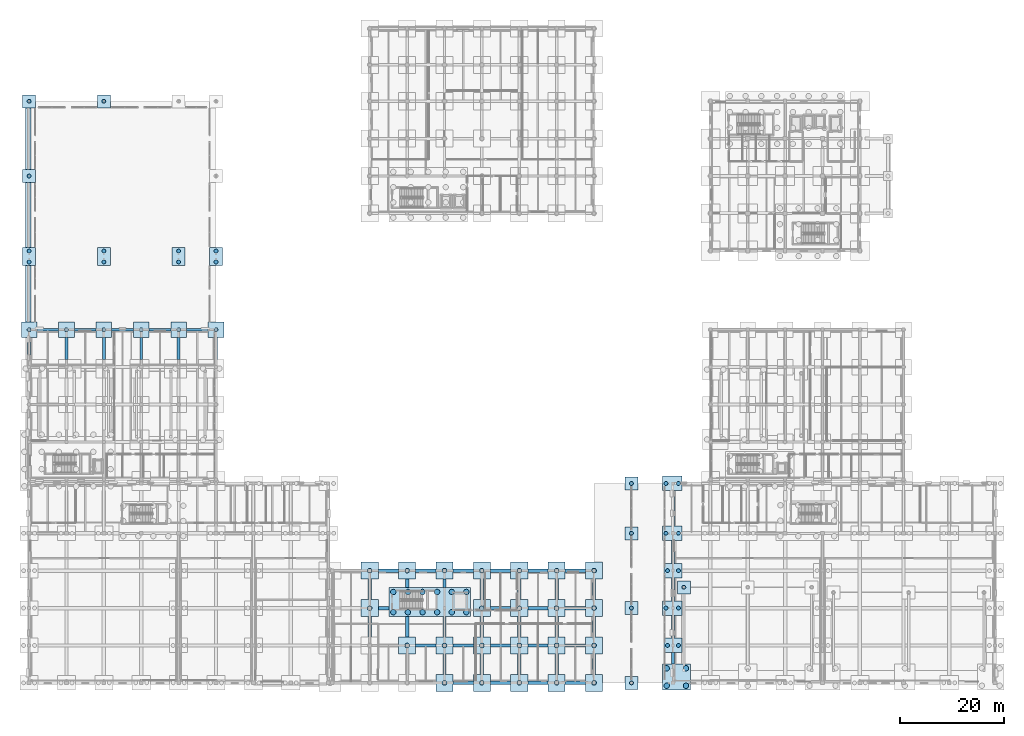
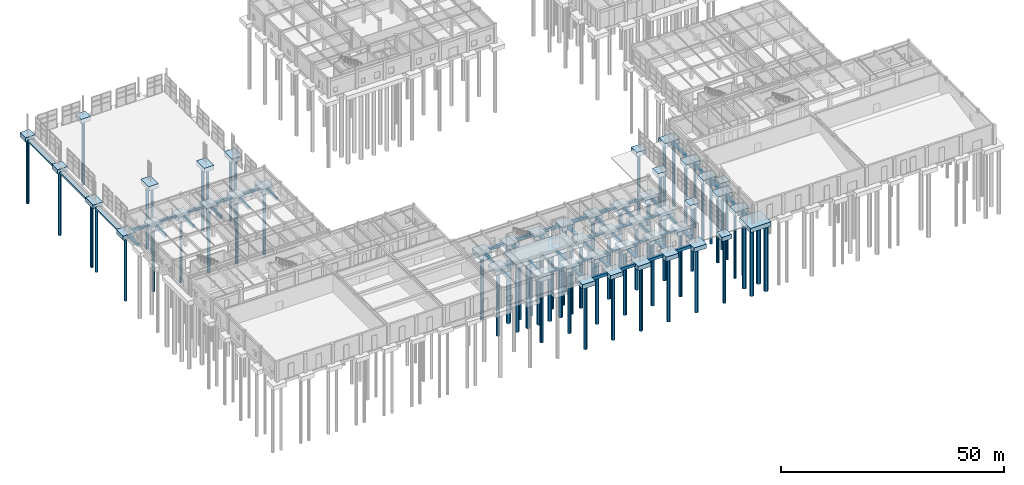
# One storey, part 3 of 91: 103 footings, 71 piles.
"""IFC4 building model written with IfcOpenShell, lengths in metres."""

from ifc_helpers import new_model, si_unit, direction, frame, origin, origin_2d, place, context, subcontext, project, spatial, rectangle, circle, extrude, material, material_profile, profile_set, type_object, element, save


model = new_model("IFC4")

# Units and contexts
model_context = context("Model", 3, precision=1e-05, world=origin(), true_north=direction((0.0, 1.0)))
body_context = subcontext(model_context, "Body", "Model", "MODEL_VIEW")
ifc_project = project(units=[si_unit("LENGTHUNIT", "METRE"), si_unit("AREAUNIT", "SQUARE_METRE"), si_unit("VOLUMEUNIT", "CUBIC_METRE"), si_unit("PLANEANGLEUNIT", "RADIAN"), si_unit("MASSUNIT", "GRAM", prefix="KILO")], contexts=[model_context])

# Site, building, storey
site_placement = place(None, origin())
site = spatial("IfcSite", under=ifc_project, at=site_placement, CompositionType="ELEMENT")
building_placement = place(site_placement, origin())
building = spatial("IfcBuilding", under=site, at=building_placement, Name="Bramveld Media Centre", CompositionType="ELEMENT")
storey_placement = place(building_placement, origin())
storey = spatial("IfcBuildingStorey", under=building, at=storey_placement, Name="L00", CompositionType="ELEMENT", Elevation=0.0)

# Footings
ifc_material_1 = material(Name="Concrete C35/45", Category="concrete")
footing_type_1 = type_object("IfcFootingType", Name="FTG-STRIP-1100x500", PredefinedType="STRIP_FOOTING", material=ifc_material_1)
footing_1_placement = place(storey_placement, frame((-0.179931640625, 89.89990234375, -1.300048828125), z_axis=(0.0, 0.0, 1.0), x_axis=(0.0, 1.0, 0.0)))
element("IfcFooting", 1, at=footing_1_placement, inside=storey, type_object=footing_type_1, Name="Retaining wall strip footing RW-PARK-02", PredefinedType="STRIP_FOOTING", context=body_context, shape_type="SweptSolid", body=[
    extrude(rectangle(XDim=44.0, YDim=1.10009765625, at=origin_2d()), origin(), (0.0, 0.0, 1.0), 0.5),
])
ifc_material_2 = material(Name="Concrete C35/45", Category="concrete")
footing_type_2 = type_object("IfcFootingType", Name="GB-550x800", PredefinedType="FOOTING_BEAM", material=ifc_material_2)
for number, where, z_axis, x_axis, name in (
    (2, (3.60009765625, 68.0, -0.7998046875), (0.0, 0.0, 1.0), (1.0, 0.0, 0.0), "V3 ground beam X-134"),
    (3, (10.800048828125, 68.0, -0.7998046875), (0.0, 0.0, 1.0), (1.0, 0.0, 0.0), "V3 ground beam X-135"),
    (4, (18.0, 68.0, -0.7998046875), (0.0, 0.0, 1.0), (1.0, 0.0, 0.0), "V3 ground beam X-136"),
    (5, (25.199951171875, 68.0, -0.7998046875), (0.0, 0.0, 1.0), (1.0, 0.0, 0.0), "V3 ground beam X-137"),
    (6, (32.39990234375, 68.0, -0.7998046875), (0.0, 0.0, 1.0), (1.0, 0.0, 0.0), "V3 ground beam X-138"),
):
    element("IfcFooting", number, at=place(storey_placement, frame(where, z_axis=z_axis, x_axis=x_axis)), inside=storey, type_object=footing_type_2, Name=name, PredefinedType="FOOTING_BEAM", context=body_context, shape_type="SweptSolid", body=[
        extrude(rectangle(XDim=4.199951171875, YDim=0.550048828125, at=origin_2d()), origin(), (0.0, 0.0, 1.0), 0.800048828125),
    ])
for number, where, z_axis, x_axis, name in (
    (7, (0.0, 64.39990234375, -0.7998046875), (0.0, 0.0, 1.0), (1.0, 0.0, 0.0), "V3 ground beam Y-141"),
    (8, (7.199951171875, 64.39990234375, -0.7998046875), (0.0, 0.0, 1.0), (1.0, 0.0, 0.0), "V3 ground beam Y-144"),
    (9, (14.39990234375, 64.39990234375, -0.7998046875), (0.0, 0.0, 1.0), (1.0, 0.0, 0.0), "V3 ground beam Y-147"),
    (10, (21.60009765625, 64.39990234375, -0.7998046875), (0.0, 0.0, 1.0), (1.0, 0.0, 0.0), "V3 ground beam Y-151"),
    (11, (28.800048828125, 64.39990234375, -0.7998046875), (0.0, 0.0, 1.0), (1.0, 0.0, 0.0), "V3 ground beam Y-155"),
    (12, (36.0, 64.39990234375, -0.7998046875), (0.0, 0.0, 1.0), (1.0, 0.0, 0.0), "V3 ground beam Y-159"),
):
    element("IfcFooting", number, at=place(storey_placement, frame(where, z_axis=z_axis, x_axis=x_axis)), inside=storey, type_object=footing_type_2, Name=name, PredefinedType="FOOTING_BEAM", context=body_context, shape_type="SweptSolid", body=[
        extrude(rectangle(XDim=0.550048828125, YDim=4.199951171875, at=origin_2d()), origin(), (0.0, 0.0, 1.0), 0.800048828125),
    ])
ifc_material_3 = material(Name="Concrete C35/45", Category="concrete")
footing_type_3 = type_object("IfcFootingType", Name="GB-650x800", PredefinedType="FOOTING_BEAM", material=ifc_material_3)
footing_2_placement = place(storey_placement, frame((124.0, 4.72509765625, -0.7998046875), z_axis=(0.0, 0.0, 1.0), x_axis=(1.0, 0.0, 0.0)))
element("IfcFooting", 13, at=footing_2_placement, inside=storey, type_object=footing_type_3, Name="V1 ground beam Y-29", PredefinedType="FOOTING_BEAM", context=body_context, shape_type="SweptSolid", body=[
    extrude(rectangle(XDim=0.64990234375, YDim=2.14990234375, at=origin_2d()), origin(), (0.0, 0.0, 1.0), 0.800048828125),
])
for number, where, z_axis, x_axis, name in (
    (14, (124.0, 10.800048828125, -0.7998046875), (0.0, 0.0, 1.0), (1.0, 0.0, 0.0), "V1 ground beam Y-30"),
    (15, (124.0, 18.0, -0.7998046875), (0.0, 0.0, 1.0), (1.0, 0.0, 0.0), "V1 ground beam Y-31"),
    (16, (124.0, 25.199951171875, -0.7998046875), (0.0, 0.0, 1.0), (1.0, 0.0, 0.0), "V1 ground beam Y-32"),
):
    element("IfcFooting", number, at=place(storey_placement, frame(where, z_axis=z_axis, x_axis=x_axis)), inside=storey, type_object=footing_type_3, Name=name, PredefinedType="FOOTING_BEAM", context=body_context, shape_type="SweptSolid", body=[
        extrude(rectangle(XDim=0.64990234375, YDim=4.39990234375, at=origin_2d()), origin(), (0.0, 0.0, 1.0), 0.800048828125),
    ])
footing_3_placement = place(storey_placement, frame((124.0, 33.60009765625, -0.7998046875), z_axis=(0.0, 0.0, 1.0), x_axis=(1.0, 0.0, 0.0)))
element("IfcFooting", 17, at=footing_3_placement, inside=storey, type_object=footing_type_3, Name="V1 ground beam Y-33", PredefinedType="FOOTING_BEAM", context=body_context, shape_type="SweptSolid", body=[
    extrude(rectangle(XDim=0.64990234375, YDim=6.800048828125, at=origin_2d()), origin(), (0.0, 0.0, 1.0), 0.800048828125),
])
for number, where, z_axis, x_axis, name in (
    (18, (83.60009765625, 0.0, -0.7998046875), (0.0, 0.0, 1.0), (1.0, 0.0, 0.0), "V5 ground beam X-209"),
    (19, (90.800048828125, 0.0, -0.7998046875), (0.0, 0.0, 1.0), (1.0, 0.0, 0.0), "V5 ground beam X-210"),
    (20, (98.0, 0.0, -0.7998046875), (0.0, 0.0, 1.0), (1.0, 0.0, 0.0), "V5 ground beam X-211"),
    (21, (105.199951171875, 0.0, -0.7998046875), (0.0, 0.0, 1.0), (1.0, 0.0, 0.0), "V5 ground beam X-212"),
    (22, (76.39990234375, 7.199951171875, -0.7998046875), (0.0, 0.0, 1.0), (1.0, 0.0, 0.0), "V5 ground beam X-215"),
    (23, (83.60009765625, 7.199951171875, -0.7998046875), (0.0, 0.0, 1.0), (1.0, 0.0, 0.0), "V5 ground beam X-216"),
    (24, (90.800048828125, 7.199951171875, -0.7998046875), (0.0, 0.0, 1.0), (1.0, 0.0, 0.0), "V5 ground beam X-217"),
    (25, (98.0, 7.199951171875, -0.7998046875), (0.0, 0.0, 1.0), (1.0, 0.0, 0.0), "V5 ground beam X-218"),
    (26, (105.199951171875, 7.199951171875, -0.7998046875), (0.0, 0.0, 1.0), (1.0, 0.0, 0.0), "V5 ground beam X-219"),
):
    element("IfcFooting", number, at=place(storey_placement, frame(where, z_axis=z_axis, x_axis=x_axis)), inside=storey, type_object=footing_type_3, Name=name, PredefinedType="FOOTING_BEAM", context=body_context, shape_type="SweptSolid", body=[
        extrude(rectangle(XDim=3.89990234375, YDim=0.64990234375, at=origin_2d()), origin(), (0.0, 0.0, 1.0), 0.800048828125),
    ])
footing_4_placement = place(storey_placement, frame((68.27490234375, 14.39990234375, -0.7998046875), z_axis=(0.0, 0.0, 1.0), x_axis=(1.0, 0.0, 0.0)))
element("IfcFooting", 27, at=footing_4_placement, inside=storey, type_object=footing_type_3, Name="V5 ground beam X-221", PredefinedType="FOOTING_BEAM", context=body_context, shape_type="SweptSolid", body=[
    extrude(rectangle(XDim=2.050048828125, YDim=0.64990234375, at=origin_2d()), origin(), (0.0, 0.0, 1.0), 0.800048828125),
])
for number, where, z_axis, x_axis, name in (
    (28, (90.800048828125, 14.39990234375, -0.7998046875), (0.0, 0.0, 1.0), (1.0, 0.0, 0.0), "V5 ground beam X-222"),
    (29, (98.0, 14.39990234375, -0.7998046875), (0.0, 0.0, 1.0), (1.0, 0.0, 0.0), "V5 ground beam X-223"),
    (30, (105.199951171875, 14.39990234375, -0.7998046875), (0.0, 0.0, 1.0), (1.0, 0.0, 0.0), "V5 ground beam X-224"),
    (31, (69.199951171875, 21.60009765625, -0.7998046875), (0.0, 0.0, 1.0), (1.0, 0.0, 0.0), "V5 ground beam X-226"),
    (32, (76.39990234375, 21.60009765625, -0.7998046875), (0.0, 0.0, 1.0), (1.0, 0.0, 0.0), "V5 ground beam X-227"),
    (33, (83.60009765625, 21.60009765625, -0.7998046875), (0.0, 0.0, 1.0), (1.0, 0.0, 0.0), "V5 ground beam X-228"),
    (34, (90.800048828125, 21.60009765625, -0.7998046875), (0.0, 0.0, 1.0), (1.0, 0.0, 0.0), "V5 ground beam X-229"),
    (35, (98.0, 21.60009765625, -0.7998046875), (0.0, 0.0, 1.0), (1.0, 0.0, 0.0), "V5 ground beam X-230"),
    (36, (105.199951171875, 21.60009765625, -0.7998046875), (0.0, 0.0, 1.0), (1.0, 0.0, 0.0), "V5 ground beam X-231"),
):
    element("IfcFooting", number, at=place(storey_placement, frame(where, z_axis=z_axis, x_axis=x_axis)), inside=storey, type_object=footing_type_3, Name=name, PredefinedType="FOOTING_BEAM", context=body_context, shape_type="SweptSolid", body=[
        extrude(rectangle(XDim=3.89990234375, YDim=0.64990234375, at=origin_2d()), origin(), (0.0, 0.0, 1.0), 0.800048828125),
    ])
for number, where, z_axis, x_axis, name in (
    (37, (65.60009765625, 10.800048828125, -0.7998046875), (0.0, 0.0, 1.0), (1.0, 0.0, 0.0), "V5 ground beam Y-236"),
    (38, (65.60009765625, 18.0, -0.7998046875), (0.0, 0.0, 1.0), (1.0, 0.0, 0.0), "V5 ground beam Y-237"),
    (39, (72.800048828125, 10.800048828125, -0.7998046875), (0.0, 0.0, 1.0), (1.0, 0.0, 0.0), "V5 ground beam Y-239"),
):
    element("IfcFooting", number, at=place(storey_placement, frame(where, z_axis=z_axis, x_axis=x_axis)), inside=storey, type_object=footing_type_3, Name=name, PredefinedType="FOOTING_BEAM", context=body_context, shape_type="SweptSolid", body=[
        extrude(rectangle(XDim=0.64990234375, YDim=3.89990234375, at=origin_2d()), origin(), (0.0, 0.0, 1.0), 0.800048828125),
    ])
footing_5_placement = place(storey_placement, frame((72.800048828125, 19.14990234375, -0.7998046875), z_axis=(0.0, 0.0, 1.0), x_axis=(1.0, 0.0, 0.0)))
element("IfcFooting", 40, at=footing_5_placement, inside=storey, type_object=footing_type_3, Name="V5 ground beam Y-240", PredefinedType="FOOTING_BEAM", context=body_context, shape_type="SweptSolid", body=[
    extrude(rectangle(XDim=0.64990234375, YDim=1.60009765625, at=origin_2d()), origin(), (0.0, 0.0, 1.0), 0.800048828125),
])
for number, where, z_axis, x_axis, name in (
    (41, (80.0, 3.60009765625, -0.7998046875), (0.0, 0.0, 1.0), (1.0, 0.0, 0.0), "V5 ground beam Y-241"),
    (42, (80.0, 10.800048828125, -0.7998046875), (0.0, 0.0, 1.0), (1.0, 0.0, 0.0), "V5 ground beam Y-242"),
):
    element("IfcFooting", number, at=place(storey_placement, frame(where, z_axis=z_axis, x_axis=x_axis)), inside=storey, type_object=footing_type_3, Name=name, PredefinedType="FOOTING_BEAM", context=body_context, shape_type="SweptSolid", body=[
        extrude(rectangle(XDim=0.64990234375, YDim=3.89990234375, at=origin_2d()), origin(), (0.0, 0.0, 1.0), 0.800048828125),
    ])
footing_6_placement = place(storey_placement, frame((80.0, 19.14990234375, -0.7998046875), z_axis=(0.0, 0.0, 1.0), x_axis=(1.0, 0.0, 0.0)))
element("IfcFooting", 43, at=footing_6_placement, inside=storey, type_object=footing_type_3, Name="V5 ground beam Y-243", PredefinedType="FOOTING_BEAM", context=body_context, shape_type="SweptSolid", body=[
    extrude(rectangle(XDim=0.64990234375, YDim=1.60009765625, at=origin_2d()), origin(), (0.0, 0.0, 1.0), 0.800048828125),
])
for number, where, z_axis, x_axis, name in (
    (44, (87.199951171875, 3.60009765625, -0.7998046875), (0.0, 0.0, 1.0), (1.0, 0.0, 0.0), "V5 ground beam Y-244"),
    (45, (87.199951171875, 10.800048828125, -0.7998046875), (0.0, 0.0, 1.0), (1.0, 0.0, 0.0), "V5 ground beam Y-245"),
    (46, (87.199951171875, 18.0, -0.7998046875), (0.0, 0.0, 1.0), (1.0, 0.0, 0.0), "V5 ground beam Y-246"),
    (47, (94.39990234375, 3.60009765625, -0.7998046875), (0.0, 0.0, 1.0), (1.0, 0.0, 0.0), "V5 ground beam Y-247"),
    (48, (94.39990234375, 10.800048828125, -0.7998046875), (0.0, 0.0, 1.0), (1.0, 0.0, 0.0), "V5 ground beam Y-248"),
    (49, (94.39990234375, 18.0, -0.7998046875), (0.0, 0.0, 1.0), (1.0, 0.0, 0.0), "V5 ground beam Y-249"),
    (50, (101.60009765625, 3.60009765625, -0.7998046875), (0.0, 0.0, 1.0), (1.0, 0.0, 0.0), "V5 ground beam Y-250"),
    (51, (101.60009765625, 10.800048828125, -0.7998046875), (0.0, 0.0, 1.0), (1.0, 0.0, 0.0), "V5 ground beam Y-251"),
    (52, (101.60009765625, 18.0, -0.7998046875), (0.0, 0.0, 1.0), (1.0, 0.0, 0.0), "V5 ground beam Y-252"),
    (53, (108.800048828125, 3.60009765625, -0.7998046875), (0.0, 0.0, 1.0), (1.0, 0.0, 0.0), "V5 ground beam Y-253"),
    (54, (108.800048828125, 10.800048828125, -0.7998046875), (0.0, 0.0, 1.0), (1.0, 0.0, 0.0), "V5 ground beam Y-254"),
    (55, (108.800048828125, 18.0, -0.7998046875), (0.0, 0.0, 1.0), (1.0, 0.0, 0.0), "V5 ground beam Y-255"),
):
    element("IfcFooting", number, at=place(storey_placement, frame(where, z_axis=z_axis, x_axis=x_axis)), inside=storey, type_object=footing_type_3, Name=name, PredefinedType="FOOTING_BEAM", context=body_context, shape_type="SweptSolid", body=[
        extrude(rectangle(XDim=0.64990234375, YDim=3.89990234375, at=origin_2d()), origin(), (0.0, 0.0, 1.0), 0.800048828125),
    ])
ifc_material_4 = material(Name="Concrete C35/45", Category="concrete")
footing_type_4 = type_object("IfcFootingType", Name="PC-1575x560x1200", PredefinedType="PILE_CAP", material=ifc_material_4)
footing_7_placement = place(storey_placement, frame((77.175048828125, 15.550048828125, -1.2001953125), z_axis=(0.0, 0.0, 1.0), x_axis=(1.0, 0.0, 0.0)))
element("IfcFooting", 56, at=footing_7_placement, inside=storey, type_object=footing_type_4, Name="Reinforced concrete pile cap 78", PredefinedType="PILE_CAP", context=body_context, shape_type="SweptSolid", body=[
    extrude(rectangle(XDim=15.75, YDim=5.60009765625, at=origin_2d()), origin(), (0.0, 0.0, 1.0), 1.199951171875),
])
ifc_material_5 = material(Name="Concrete C35/45", Category="concrete")
footing_type_5 = type_object("IfcFootingType", Name="PC-250x250x1200", PredefinedType="PILE_CAP", material=ifc_material_5)
for number, where, z_axis, x_axis, name in (
    (57, (0.0, 97.60009765625, -1.2001953125), (0.0, 0.0, 1.0), (1.0, 0.0, 0.0), "Reinforced concrete pile cap 11"),
    (58, (0.0, 112.0, -1.2001953125), (0.0, 0.0, 1.0), (1.0, 0.0, 0.0), "Reinforced concrete pile cap 12"),
    (59, (14.39990234375, 112.0, -1.2001953125), (0.0, 0.0, 1.0), (1.0, 0.0, 0.0), "Reinforced concrete pile cap 24"),
    (60, (116.0, 0.0, -1.2001953125), (0.0, 0.0, 1.0), (1.0, 0.0, 0.0), "Reinforced concrete pile cap 134"),
    (61, (116.0, 14.39990234375, -1.2001953125), (0.0, 0.0, 1.0), (1.0, 0.0, 0.0), "Reinforced concrete pile cap 135"),
    (62, (116.0, 28.800048828125, -1.2001953125), (0.0, 0.0, 1.0), (1.0, 0.0, 0.0), "Reinforced concrete pile cap 136"),
    (63, (116.0, 38.39990234375, -1.2001953125), (0.0, 0.0, 1.0), (1.0, 0.0, 0.0), "Reinforced concrete pile cap 137"),
    (64, (126.10009765625, 18.39990234375, -1.2001953125), (0.0, 0.0, 1.0), (1.0, 0.0, 0.0), "Reinforced concrete pile cap 144"),
):
    element("IfcFooting", number, at=place(storey_placement, frame(where, z_axis=z_axis, x_axis=x_axis)), inside=storey, type_object=footing_type_5, Name=name, PredefinedType="PILE_CAP", context=body_context, shape_type="SweptSolid", body=[
        extrude(rectangle(XDim=2.5, YDim=2.5, at=origin_2d()), origin(), (0.0, 0.0, 1.0), 1.199951171875),
    ])
ifc_material_6 = material(Name="Concrete C35/45", Category="concrete")
footing_type_6 = type_object("IfcFootingType", Name="PC-250x350x1200", PredefinedType="PILE_CAP", material=ifc_material_6)
for number, where, z_axis, x_axis, name in (
    (65, (0.0, 82.10009765625, -1.2001953125), (0.0, 0.0, 1.0), (1.0, 0.0, 0.0), "Reinforced concrete pile cap 10"),
    (66, (14.39990234375, 82.10009765625, -1.2001953125), (0.0, 0.0, 1.0), (1.0, 0.0, 0.0), "Reinforced concrete pile cap 23"),
    (67, (28.800048828125, 82.10009765625, -1.2001953125), (0.0, 0.0, 1.0), (1.0, 0.0, 0.0), "Reinforced concrete pile cap 41"),
    (68, (36.0, 82.10009765625, -1.2001953125), (0.0, 0.0, 1.0), (1.0, 0.0, 0.0), "Reinforced concrete pile cap 50"),
):
    element("IfcFooting", number, at=place(storey_placement, frame(where, z_axis=z_axis, x_axis=x_axis)), inside=storey, type_object=footing_type_6, Name=name, PredefinedType="PILE_CAP", context=body_context, shape_type="SweptSolid", body=[
        extrude(rectangle(XDim=2.5, YDim=3.5, at=origin_2d()), origin(), (0.0, 0.0, 1.0), 1.199951171875),
    ])
ifc_material_7 = material(Name="Concrete C35/45", Category="concrete")
footing_type_7 = type_object("IfcFootingType", Name="PC-300x300x1200", PredefinedType="PILE_CAP", material=ifc_material_7)
for number, where, z_axis, x_axis, name in (
    (69, (0.0, 68.0, -1.2001953125), (0.0, 0.0, 1.0), (1.0, 0.0, 0.0), "Reinforced concrete pile cap 9"),
    (70, (7.199951171875, 68.0, -1.2001953125), (0.0, 0.0, 1.0), (1.0, 0.0, 0.0), "Reinforced concrete pile cap 17"),
    (71, (14.39990234375, 68.0, -1.2001953125), (0.0, 0.0, 1.0), (1.0, 0.0, 0.0), "Reinforced concrete pile cap 22"),
    (72, (21.60009765625, 68.0, -1.2001953125), (0.0, 0.0, 1.0), (1.0, 0.0, 0.0), "Reinforced concrete pile cap 31"),
    (73, (28.800048828125, 68.0, -1.2001953125), (0.0, 0.0, 1.0), (1.0, 0.0, 0.0), "Reinforced concrete pile cap 40"),
    (74, (36.0, 68.0, -1.2001953125), (0.0, 0.0, 1.0), (1.0, 0.0, 0.0), "Reinforced concrete pile cap 49"),
):
    element("IfcFooting", number, at=place(storey_placement, frame(where, z_axis=z_axis, x_axis=x_axis)), inside=storey, type_object=footing_type_7, Name=name, PredefinedType="PILE_CAP", context=body_context, shape_type="SweptSolid", body=[
        extrude(rectangle(XDim=3.0, YDim=3.0, at=origin_2d()), origin(), (0.0, 0.0, 1.0), 1.199951171875),
    ])
ifc_material_8 = material(Name="Concrete C35/45", Category="concrete")
footing_type_8 = type_object("IfcFootingType", Name="PC-330x330x1200", PredefinedType="PILE_CAP", material=ifc_material_8)
for number, where, z_axis, x_axis, name in (
    (75, (65.60009765625, 14.39990234375, -1.2001953125), (0.0, 0.0, 1.0), (1.0, 0.0, 0.0), "Reinforced concrete pile cap 70"),
    (76, (65.60009765625, 21.60009765625, -1.2001953125), (0.0, 0.0, 1.0), (1.0, 0.0, 0.0), "Reinforced concrete pile cap 71"),
    (77, (72.800048828125, 7.199951171875, -1.2001953125), (0.0, 0.0, 1.0), (1.0, 0.0, 0.0), "Reinforced concrete pile cap 81"),
    (78, (72.800048828125, 21.60009765625, -1.2001953125), (0.0, 0.0, 1.0), (1.0, 0.0, 0.0), "Reinforced concrete pile cap 82"),
    (79, (80.0, 0.0, -1.2001953125), (0.0, 0.0, 1.0), (1.0, 0.0, 0.0), "Reinforced concrete pile cap 87"),
    (80, (80.0, 7.199951171875, -1.2001953125), (0.0, 0.0, 1.0), (1.0, 0.0, 0.0), "Reinforced concrete pile cap 88"),
    (81, (80.0, 21.60009765625, -1.2001953125), (0.0, 0.0, 1.0), (1.0, 0.0, 0.0), "Reinforced concrete pile cap 89"),
    (82, (87.199951171875, 0.0, -1.2001953125), (0.0, 0.0, 1.0), (1.0, 0.0, 0.0), "Reinforced concrete pile cap 94"),
    (83, (87.199951171875, 7.199951171875, -1.2001953125), (0.0, 0.0, 1.0), (1.0, 0.0, 0.0), "Reinforced concrete pile cap 95"),
    (84, (87.199951171875, 14.39990234375, -1.2001953125), (0.0, 0.0, 1.0), (1.0, 0.0, 0.0), "Reinforced concrete pile cap 96"),
    (85, (87.199951171875, 21.60009765625, -1.2001953125), (0.0, 0.0, 1.0), (1.0, 0.0, 0.0), "Reinforced concrete pile cap 97"),
    (86, (94.39990234375, 0.0, -1.2001953125), (0.0, 0.0, 1.0), (1.0, 0.0, 0.0), "Reinforced concrete pile cap 104"),
    (87, (94.39990234375, 7.199951171875, -1.2001953125), (0.0, 0.0, 1.0), (1.0, 0.0, 0.0), "Reinforced concrete pile cap 105"),
    (88, (94.39990234375, 14.39990234375, -1.2001953125), (0.0, 0.0, 1.0), (1.0, 0.0, 0.0), "Reinforced concrete pile cap 106"),
    (89, (94.39990234375, 21.60009765625, -1.2001953125), (0.0, 0.0, 1.0), (1.0, 0.0, 0.0), "Reinforced concrete pile cap 107"),
    (90, (101.60009765625, 0.0, -1.2001953125), (0.0, 0.0, 1.0), (1.0, 0.0, 0.0), "Reinforced concrete pile cap 114"),
    (91, (101.60009765625, 7.199951171875, -1.2001953125), (0.0, 0.0, 1.0), (1.0, 0.0, 0.0), "Reinforced concrete pile cap 115"),
    (92, (101.60009765625, 14.39990234375, -1.2001953125), (0.0, 0.0, 1.0), (1.0, 0.0, 0.0), "Reinforced concrete pile cap 116"),
    (93, (101.60009765625, 21.60009765625, -1.2001953125), (0.0, 0.0, 1.0), (1.0, 0.0, 0.0), "Reinforced concrete pile cap 117"),
    (94, (108.800048828125, 0.0, -1.2001953125), (0.0, 0.0, 1.0), (1.0, 0.0, 0.0), "Reinforced concrete pile cap 124"),
    (95, (108.800048828125, 7.199951171875, -1.2001953125), (0.0, 0.0, 1.0), (1.0, 0.0, 0.0), "Reinforced concrete pile cap 125"),
    (96, (108.800048828125, 14.39990234375, -1.2001953125), (0.0, 0.0, 1.0), (1.0, 0.0, 0.0), "Reinforced concrete pile cap 126"),
    (97, (108.800048828125, 21.60009765625, -1.2001953125), (0.0, 0.0, 1.0), (1.0, 0.0, 0.0), "Reinforced concrete pile cap 127"),
):
    element("IfcFooting", number, at=place(storey_placement, frame(where, z_axis=z_axis, x_axis=x_axis)), inside=storey, type_object=footing_type_8, Name=name, PredefinedType="PILE_CAP", context=body_context, shape_type="SweptSolid", body=[
        extrude(rectangle(XDim=3.300048828125, YDim=3.300048828125, at=origin_2d()), origin(), (0.0, 0.0, 1.0), 1.199951171875),
    ])
ifc_material_9 = material(Name="Concrete C35/45", Category="concrete")
footing_type_9 = type_object("IfcFootingType", Name="PC-350x280x1200", PredefinedType="PILE_CAP", material=ifc_material_9)
for number, where, z_axis, x_axis, name in (
    (98, (124.0, 7.199951171875, -1.2001953125), (0.0, 0.0, 1.0), (1.0, 0.0, 0.0), "Reinforced concrete pile cap 142"),
    (99, (124.0, 21.60009765625, -1.2001953125), (0.0, 0.0, 1.0), (1.0, 0.0, 0.0), "Reinforced concrete pile cap 143"),
):
    element("IfcFooting", number, at=place(storey_placement, frame(where, z_axis=z_axis, x_axis=x_axis)), inside=storey, type_object=footing_type_9, Name=name, PredefinedType="PILE_CAP", context=body_context, shape_type="SweptSolid", body=[
        extrude(rectangle(XDim=3.5, YDim=2.800048828125, at=origin_2d()), origin(), (0.0, 0.0, 1.0), 1.199951171875),
    ])
ifc_material_10 = material(Name="Concrete C35/45", Category="concrete")
footing_type_10 = type_object("IfcFootingType", Name="PC-380x280x1200", PredefinedType="PILE_CAP", material=ifc_material_10)
for number, where, z_axis, x_axis, name in (
    (100, (123.85009765625, 14.39990234375, -1.2001953125), (0.0, 0.0, 1.0), (1.0, 0.0, 0.0), "Reinforced concrete pile cap 139"),
    (101, (123.85009765625, 28.800048828125, -1.2001953125), (0.0, 0.0, 1.0), (1.0, 0.0, 0.0), "Reinforced concrete pile cap 140"),
    (102, (123.85009765625, 38.39990234375, -1.2001953125), (0.0, 0.0, 1.0), (1.0, 0.0, 0.0), "Reinforced concrete pile cap 141"),
):
    element("IfcFooting", number, at=place(storey_placement, frame(where, z_axis=z_axis, x_axis=x_axis)), inside=storey, type_object=footing_type_10, Name=name, PredefinedType="PILE_CAP", context=body_context, shape_type="SweptSolid", body=[
        extrude(rectangle(XDim=3.800048828125, YDim=2.800048828125, at=origin_2d()), origin(), (0.0, 0.0, 1.0), 1.199951171875),
    ])
ifc_material_11 = material(Name="Concrete C35/45", Category="concrete")
footing_type_11 = type_object("IfcFootingType", Name="PC-540x505x1200", PredefinedType="PILE_CAP", material=ifc_material_11)
footing_8_placement = place(storey_placement, frame((124.64990234375, 1.125, -1.2001953125), z_axis=(0.0, 0.0, 1.0), x_axis=(1.0, 0.0, 0.0)))
element("IfcFooting", 103, at=footing_8_placement, inside=storey, type_object=footing_type_11, Name="Reinforced concrete pile cap 138", PredefinedType="PILE_CAP", context=body_context, shape_type="SweptSolid", body=[
    extrude(rectangle(XDim=5.39990234375, YDim=5.050048828125, at=origin_2d()), origin(), (0.0, 0.0, 1.0), 1.199951171875),
])

# Piles
ifc_material_12 = material(Name="Concrete C35/45", Category="concrete")
ifc_material_profile_1 = material_profile(ifc_material_12, circle(Radius=0.52490234375, at=origin_2d()), Name="BORED D1050")
ifc_profile_set_1 = profile_set([ifc_material_profile_1], Name="Concrete C35/45")
pile_type_1 = type_object("IfcPileType", Name="PILE-BORED-D1050", PredefinedType="BORED", material=ifc_profile_set_1)
for number, where, z_axis, x_axis, name in (
    (104, (70.14501953125, 13.594970703125, -1.050048828125), (0.0, 0.0, -1.0), (1.0, 0.0, 0.0), "Bored pile 149"),
    (105, (70.14501953125, 17.5048828125, -1.050048828125), (0.0, 0.0, -1.0), (1.0, 0.0, 0.0), "Bored pile 150"),
    (106, (72.95703125, 13.594970703125, -1.050048828125), (0.0, 0.0, -1.0), (1.0, 0.0, 0.0), "Bored pile 151"),
    (107, (72.95703125, 17.5048828125, -1.050048828125), (0.0, 0.0, -1.0), (1.0, 0.0, 0.0), "Bored pile 152"),
    (108, (75.76904296875, 13.594970703125, -1.050048828125), (0.0, 0.0, -1.0), (1.0, 0.0, 0.0), "Bored pile 153"),
    (109, (75.76904296875, 17.5048828125, -1.050048828125), (0.0, 0.0, -1.0), (1.0, 0.0, 0.0), "Bored pile 154"),
    (110, (78.5810546875, 13.594970703125, -1.050048828125), (0.0, 0.0, -1.0), (1.0, 0.0, 0.0), "Bored pile 155"),
    (111, (78.5810546875, 17.5048828125, -1.050048828125), (0.0, 0.0, -1.0), (1.0, 0.0, 0.0), "Bored pile 156"),
    (112, (81.39306640625, 13.594970703125, -1.050048828125), (0.0, 0.0, -1.0), (1.0, 0.0, 0.0), "Bored pile 157"),
    (113, (81.39306640625, 17.5048828125, -1.050048828125), (0.0, 0.0, -1.0), (1.0, 0.0, 0.0), "Bored pile 158"),
    (114, (84.205078125, 13.594970703125, -1.050048828125), (0.0, 0.0, -1.0), (1.0, 0.0, 0.0), "Bored pile 159"),
    (115, (84.205078125, 17.5048828125, -1.050048828125), (0.0, 0.0, -1.0), (1.0, 0.0, 0.0), "Bored pile 160"),
    (116, (122.794921875, -0.554931640625, -1.050048828125), (0.0, 0.0, -1.0), (1.0, 0.0, 0.0), "Bored pile 239"),
    (117, (122.794921875, 2.804931640625, -1.050048828125), (0.0, 0.0, -1.0), (1.0, 0.0, 0.0), "Bored pile 240"),
    (118, (126.5048828125, -0.554931640625, -1.050048828125), (0.0, 0.0, -1.0), (1.0, 0.0, 0.0), "Bored pile 241"),
    (119, (126.5048828125, 2.804931640625, -1.050048828125), (0.0, 0.0, -1.0), (1.0, 0.0, 0.0), "Bored pile 242"),
):
    element("IfcPile", number, at=place(storey_placement, frame(where, z_axis=z_axis, x_axis=x_axis)), inside=storey, type_object=pile_type_1, Name=name, PredefinedType="BORED", context=body_context, shape_type="SweptSolid", body=[
        extrude(circle(Radius=0.52490234375, at=origin_2d()), origin(), (0.0, 0.0, 1.0), 18.0),
    ])
ifc_material_13 = material(Name="Concrete C35/45", Category="concrete")
ifc_material_profile_2 = material_profile(ifc_material_13, circle(Radius=0.375, at=origin_2d()), Name="BORED D750")
ifc_profile_set_2 = profile_set([ifc_material_profile_2], Name="Concrete C35/45")
pile_type_2 = type_object("IfcPileType", Name="PILE-BORED-D750", PredefinedType="BORED", material=ifc_profile_set_2)
for number, where, z_axis, x_axis, name in (
    (120, (0.0, 68.0, -1.050048828125), (0.0, 0.0, -1.0), (1.0, 0.0, 0.0), "Bored pile 38"),
    (121, (0.0, 81.044921875, -1.050048828125), (0.0, 0.0, -1.0), (1.0, 0.0, 0.0), "Bored pile 39"),
    (122, (0.0, 83.155029296875, -1.050048828125), (0.0, 0.0, -1.0), (1.0, 0.0, 0.0), "Bored pile 40"),
    (123, (0.0, 97.60009765625, -1.050048828125), (0.0, 0.0, -1.0), (1.0, 0.0, 0.0), "Bored pile 41"),
    (124, (0.0, 112.0, -1.050048828125), (0.0, 0.0, -1.0), (1.0, 0.0, 0.0), "Bored pile 42"),
    (125, (7.199951171875, 68.0, -1.050048828125), (0.0, 0.0, -1.0), (1.0, 0.0, 0.0), "Bored pile 49"),
    (126, (14.39990234375, 68.0, -1.050048828125), (0.0, 0.0, -1.0), (1.0, 0.0, 0.0), "Bored pile 56"),
    (127, (14.39990234375, 81.044921875, -1.050048828125), (0.0, 0.0, -1.0), (1.0, 0.0, 0.0), "Bored pile 57"),
    (128, (14.39990234375, 83.155029296875, -1.050048828125), (0.0, 0.0, -1.0), (1.0, 0.0, 0.0), "Bored pile 58"),
    (129, (14.39990234375, 112.0, -1.050048828125), (0.0, 0.0, -1.0), (1.0, 0.0, 0.0), "Bored pile 59"),
    (130, (21.60009765625, 68.0, -1.050048828125), (0.0, 0.0, -1.0), (1.0, 0.0, 0.0), "Bored pile 81"),
    (131, (28.800048828125, 68.0, -1.050048828125), (0.0, 0.0, -1.0), (1.0, 0.0, 0.0), "Bored pile 94"),
    (132, (28.800048828125, 81.044921875, -1.050048828125), (0.0, 0.0, -1.0), (1.0, 0.0, 0.0), "Bored pile 95"),
    (133, (28.800048828125, 83.155029296875, -1.050048828125), (0.0, 0.0, -1.0), (1.0, 0.0, 0.0), "Bored pile 96"),
    (134, (36.0, 68.0, -1.050048828125), (0.0, 0.0, -1.0), (1.0, 0.0, 0.0), "Bored pile 108"),
    (135, (36.0, 81.044921875, -1.050048828125), (0.0, 0.0, -1.0), (1.0, 0.0, 0.0), "Bored pile 109"),
    (136, (36.0, 83.155029296875, -1.050048828125), (0.0, 0.0, -1.0), (1.0, 0.0, 0.0), "Bored pile 110"),
    (137, (116.0, 0.0, -1.050048828125), (0.0, 0.0, -1.0), (1.0, 0.0, 0.0), "Bored pile 235"),
    (138, (116.0, 14.39990234375, -1.050048828125), (0.0, 0.0, -1.0), (1.0, 0.0, 0.0), "Bored pile 236"),
    (139, (116.0, 28.800048828125, -1.050048828125), (0.0, 0.0, -1.0), (1.0, 0.0, 0.0), "Bored pile 237"),
    (140, (116.0, 38.39990234375, -1.050048828125), (0.0, 0.0, -1.0), (1.0, 0.0, 0.0), "Bored pile 238"),
    (141, (122.64501953125, 14.39990234375, -1.050048828125), (0.0, 0.0, -1.0), (1.0, 0.0, 0.0), "Bored pile 243"),
    (142, (125.054931640625, 14.39990234375, -1.050048828125), (0.0, 0.0, -1.0), (1.0, 0.0, 0.0), "Bored pile 244"),
    (143, (122.64501953125, 28.800048828125, -1.050048828125), (0.0, 0.0, -1.0), (1.0, 0.0, 0.0), "Bored pile 245"),
    (144, (125.054931640625, 28.800048828125, -1.050048828125), (0.0, 0.0, -1.0), (1.0, 0.0, 0.0), "Bored pile 246"),
    (145, (122.64501953125, 38.39990234375, -1.050048828125), (0.0, 0.0, -1.0), (1.0, 0.0, 0.0), "Bored pile 247"),
    (146, (125.054931640625, 38.39990234375, -1.050048828125), (0.0, 0.0, -1.0), (1.0, 0.0, 0.0), "Bored pile 248"),
    (147, (122.945068359375, 7.199951171875, -1.050048828125), (0.0, 0.0, -1.0), (1.0, 0.0, 0.0), "Bored pile 249"),
    (148, (125.054931640625, 7.199951171875, -1.050048828125), (0.0, 0.0, -1.0), (1.0, 0.0, 0.0), "Bored pile 250"),
    (149, (122.945068359375, 21.60009765625, -1.050048828125), (0.0, 0.0, -1.0), (1.0, 0.0, 0.0), "Bored pile 251"),
    (150, (125.054931640625, 21.60009765625, -1.050048828125), (0.0, 0.0, -1.0), (1.0, 0.0, 0.0), "Bored pile 252"),
    (151, (126.10009765625, 18.39990234375, -1.050048828125), (0.0, 0.0, -1.0), (1.0, 0.0, 0.0), "Bored pile 253"),
):
    element("IfcPile", number, at=place(storey_placement, frame(where, z_axis=z_axis, x_axis=x_axis)), inside=storey, type_object=pile_type_2, Name=name, PredefinedType="BORED", context=body_context, shape_type="SweptSolid", body=[
        extrude(circle(Radius=0.375, at=origin_2d()), origin(), (0.0, 0.0, 1.0), 18.0),
    ])
ifc_material_14 = material(Name="Concrete C35/45", Category="concrete")
ifc_material_profile_3 = material_profile(ifc_material_14, circle(Radius=0.449951171875, at=origin_2d()), Name="BORED D900")
ifc_profile_set_3 = profile_set([ifc_material_profile_3], Name="Concrete C35/45")
pile_type_3 = type_object("IfcPileType", Name="PILE-BORED-D900", PredefinedType="BORED", material=ifc_profile_set_3)
for number, where, z_axis, x_axis, name in (
    (152, (65.60009765625, 14.39990234375, -1.050048828125), (0.0, 0.0, -1.0), (1.0, 0.0, 0.0), "Bored pile 141"),
    (153, (65.60009765625, 21.60009765625, -1.050048828125), (0.0, 0.0, -1.0), (1.0, 0.0, 0.0), "Bored pile 142"),
    (154, (72.800048828125, 7.199951171875, -1.050048828125), (0.0, 0.0, -1.0), (1.0, 0.0, 0.0), "Bored pile 182"),
    (155, (72.800048828125, 21.60009765625, -1.050048828125), (0.0, 0.0, -1.0), (1.0, 0.0, 0.0), "Bored pile 183"),
    (156, (80.0, 0.0, -1.050048828125), (0.0, 0.0, -1.0), (1.0, 0.0, 0.0), "Bored pile 188"),
    (157, (80.0, 7.199951171875, -1.050048828125), (0.0, 0.0, -1.0), (1.0, 0.0, 0.0), "Bored pile 189"),
    (158, (80.0, 21.60009765625, -1.050048828125), (0.0, 0.0, -1.0), (1.0, 0.0, 0.0), "Bored pile 190"),
    (159, (87.199951171875, 0.0, -1.050048828125), (0.0, 0.0, -1.0), (1.0, 0.0, 0.0), "Bored pile 195"),
    (160, (87.199951171875, 7.199951171875, -1.050048828125), (0.0, 0.0, -1.0), (1.0, 0.0, 0.0), "Bored pile 196"),
    (161, (87.199951171875, 14.39990234375, -1.050048828125), (0.0, 0.0, -1.0), (1.0, 0.0, 0.0), "Bored pile 197"),
    (162, (87.199951171875, 21.60009765625, -1.050048828125), (0.0, 0.0, -1.0), (1.0, 0.0, 0.0), "Bored pile 198"),
    (163, (94.39990234375, 0.0, -1.050048828125), (0.0, 0.0, -1.0), (1.0, 0.0, 0.0), "Bored pile 205"),
    (164, (94.39990234375, 7.199951171875, -1.050048828125), (0.0, 0.0, -1.0), (1.0, 0.0, 0.0), "Bored pile 206"),
    (165, (94.39990234375, 14.39990234375, -1.050048828125), (0.0, 0.0, -1.0), (1.0, 0.0, 0.0), "Bored pile 207"),
    (166, (94.39990234375, 21.60009765625, -1.050048828125), (0.0, 0.0, -1.0), (1.0, 0.0, 0.0), "Bored pile 208"),
    (167, (101.60009765625, 0.0, -1.050048828125), (0.0, 0.0, -1.0), (1.0, 0.0, 0.0), "Bored pile 215"),
    (168, (101.60009765625, 7.199951171875, -1.050048828125), (0.0, 0.0, -1.0), (1.0, 0.0, 0.0), "Bored pile 216"),
    (169, (101.60009765625, 14.39990234375, -1.050048828125), (0.0, 0.0, -1.0), (1.0, 0.0, 0.0), "Bored pile 217"),
    (170, (101.60009765625, 21.60009765625, -1.050048828125), (0.0, 0.0, -1.0), (1.0, 0.0, 0.0), "Bored pile 218"),
    (171, (108.800048828125, 0.0, -1.050048828125), (0.0, 0.0, -1.0), (1.0, 0.0, 0.0), "Bored pile 225"),
    (172, (108.800048828125, 7.199951171875, -1.050048828125), (0.0, 0.0, -1.0), (1.0, 0.0, 0.0), "Bored pile 226"),
    (173, (108.800048828125, 14.39990234375, -1.050048828125), (0.0, 0.0, -1.0), (1.0, 0.0, 0.0), "Bored pile 227"),
    (174, (108.800048828125, 21.60009765625, -1.050048828125), (0.0, 0.0, -1.0), (1.0, 0.0, 0.0), "Bored pile 228"),
):
    element("IfcPile", number, at=place(storey_placement, frame(where, z_axis=z_axis, x_axis=x_axis)), inside=storey, type_object=pile_type_3, Name=name, PredefinedType="BORED", context=body_context, shape_type="SweptSolid", body=[
        extrude(circle(Radius=0.449951171875, at=origin_2d()), origin(), (0.0, 0.0, 1.0), 18.0),
    ])

save(model, "model.ifc")
